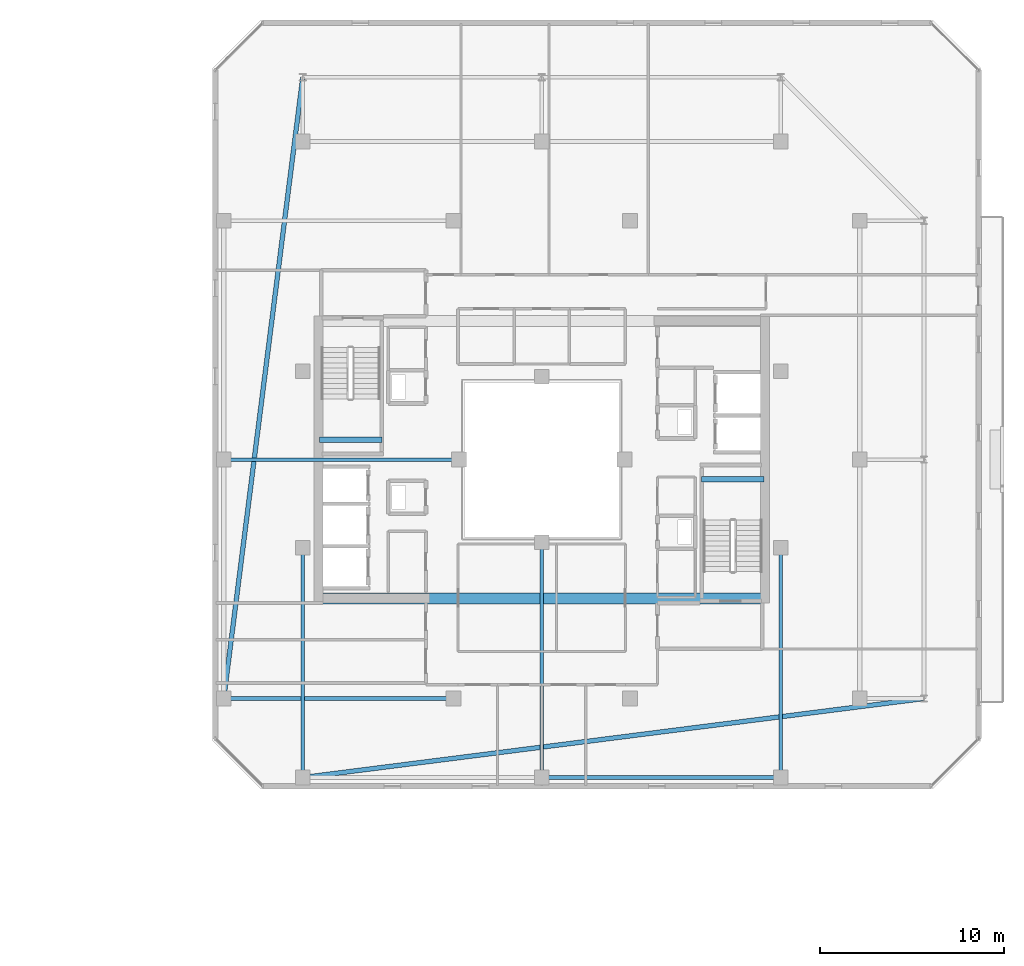
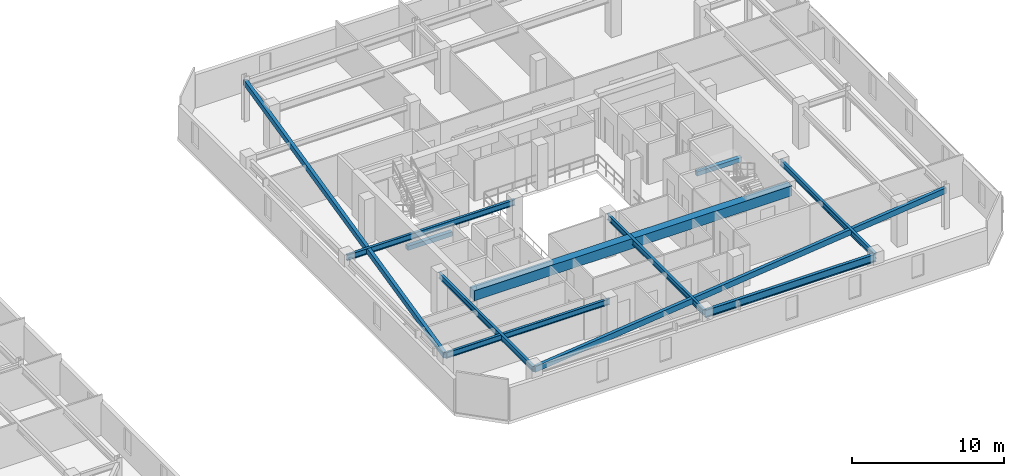
# One storey, part 15 of 35: 11 beams.
"""IFC4 building model written with IfcOpenShell, lengths in metres."""

from ifc_helpers import new_model, si_unit, direction, frame, origin, origin_2d, place, context, subcontext, project, spatial, rectangle, hollow_rectangle, i_section, extrude, material, material_profile, profile_set, type_object, element, save


model = new_model("IFC4")

# Units and contexts
model_context = context("Model", 3, precision=1e-05, world=origin(), true_north=direction((0.0, 1.0)))
body_context = subcontext(model_context, "Body", "Model", "MODEL_VIEW")
ifc_project = project(units=[si_unit("LENGTHUNIT", "METRE"), si_unit("AREAUNIT", "SQUARE_METRE"), si_unit("VOLUMEUNIT", "CUBIC_METRE"), si_unit("PLANEANGLEUNIT", "RADIAN"), si_unit("MASSUNIT", "GRAM", prefix="KILO")], contexts=[model_context])

# Site, building, storey
site_placement = place(None, origin())
site = spatial("IfcSite", under=ifc_project, at=site_placement, CompositionType="ELEMENT")
building_placement = place(site_placement, origin())
building = spatial("IfcBuilding", under=site, at=building_placement, Name="Thornwick Lancets Civic Towers", CompositionType="ELEMENT")
storey_placement = place(building_placement, frame((0.0, 0.0, 276.300048828125)))
storey = spatial("IfcBuildingStorey", under=building, at=storey_placement, Name="L74", CompositionType="ELEMENT", Elevation=276.300048828125)

# Beams
ifc_material_1 = material(Name="Concrete C60/75", Category="concrete")
ifc_material_profile_1 = material_profile(ifc_material_1, rectangle(XDim=0.60009765625, YDim=0.800048828125, at=origin_2d()), Name="RC 600x800")
ifc_profile_set_1 = profile_set([ifc_material_profile_1], Name="Concrete C60/75")
beam_type_1 = type_object("IfcBeamType", Name="BM_COUP_RC800", PredefinedType="BEAM", material=ifc_profile_set_1)
beam_1_placement = place(storey_placement, frame((76.39990234375, 19.449951171875, 2.8798828125), z_axis=(1.0, 0.0, 0.0), x_axis=(0.0, 1.0, 0.0)))
element("IfcBeam", 1, at=beam_1_placement, inside=storey, type_object=beam_type_1, Name="CB-L74-B2", PredefinedType="BEAM", context=body_context, shape_type="SweptSolid", body=[
    extrude(rectangle(XDim=0.60009765625, YDim=0.800048828125, at=origin_2d()), origin(), (0.0, 0.0, 1.0), 24.2001953125),
])
ifc_material_2 = material(Name="Steel S355JR", Category="steel")
ifc_material_profile_2 = material_profile(ifc_material_2, i_section(OverallWidth=0.230224609375, OverallDepth=0.6171875, WebThickness=0.01318359375, FlangeThickness=0.022216796875, FilletRadius=0.0126953125, at=origin_2d()), Name="UKB 610x229x140")
ifc_profile_set_2 = profile_set([ifc_material_profile_2], Name="Steel S355JR")
beam_type_2 = type_object("IfcBeamType", Name="BM_GIRD_610_140", PredefinedType="BEAM", material=ifc_profile_set_2)
beam_2_placement = place(storey_placement, frame((101.5, 9.699951171875, 2.971435546875), z_axis=(-1.0, 0.0, 0.0), x_axis=(0.0, -1.0, 0.0)))
element("IfcBeam", 2, at=beam_2_placement, inside=storey, type_object=beam_type_2, Name="BM-SPINE-L74-B-9-10", PredefinedType="BEAM", context=body_context, shape_type="SweptSolid", body=[
    extrude(i_section(OverallWidth=0.230224609375, OverallDepth=0.6171875, WebThickness=0.01318359375, FlangeThickness=0.022216796875, FilletRadius=0.0126953125, at=origin_2d()), origin(), (0.0, 0.0, 1.0), 13.0),
])
ifc_material_profile_3 = material_profile(ifc_material_2, i_section(OverallWidth=0.19189453125, OverallDepth=0.46337890625, WebThickness=0.010498046875, FlangeThickness=0.017578125, FilletRadius=0.01025390625, at=origin_2d()), Name="UKB 457x191x89")
ifc_profile_set_3 = profile_set([ifc_material_profile_3], Name="Steel S355JR")
beam_type_3 = type_object("IfcBeamType", Name="BM_JOIST_457_89", PredefinedType="JOIST", material=ifc_profile_set_3)
beam_3_placement = place(storey_placement, frame((83.699951171875, 14.0, 3.04833984375), z_axis=(-1.0, 0.0, 0.0), x_axis=(0.0, -1.0, 0.0)))
element("IfcBeam", 3, at=beam_3_placement, inside=storey, type_object=beam_type_3, Name="BM-RADIN-L74-B07", PredefinedType="JOIST", context=body_context, shape_type="SweptSolid", body=[
    extrude(i_section(OverallWidth=0.19189453125, OverallDepth=0.46337890625, WebThickness=0.010498046875, FlangeThickness=0.017578125, FilletRadius=0.01025390625, at=origin_2d()), origin(), (0.0, 0.0, 1.0), 12.5),
])
beam_4_placement = place(storey_placement, frame((84.0, 27.0, 3.04833984375), z_axis=(-1.0, 0.0, 0.0), x_axis=(0.0, -1.0, 0.0)))
element("IfcBeam", 4, at=beam_4_placement, inside=storey, type_object=beam_type_3, Name="BM-RADIN-L74-B08", PredefinedType="JOIST", context=body_context, shape_type="SweptSolid", body=[
    extrude(i_section(OverallWidth=0.19189453125, OverallDepth=0.46337890625, WebThickness=0.010498046875, FlangeThickness=0.017578125, FilletRadius=0.01025390625, at=origin_2d()), origin(), (0.0, 0.0, 1.0), 12.800048828125),
])
beam_5_placement = place(storey_placement, frame((101.5, 22.199951171875, 3.04833984375), z_axis=(0.0, -1.0, 0.0), x_axis=(1.0, 0.0, 0.0)))
element("IfcBeam", 5, at=beam_5_placement, inside=storey, type_object=beam_type_3, Name="BM-RADIN-L74-B10", PredefinedType="JOIST", context=body_context, shape_type="SweptSolid", body=[
    extrude(i_section(OverallWidth=0.19189453125, OverallDepth=0.46337890625, WebThickness=0.010498046875, FlangeThickness=0.017578125, FilletRadius=0.01025390625, at=origin_2d()), origin(), (0.0, 0.0, 1.0), 12.5),
])
beam_6_placement = place(storey_placement, frame((88.5, 22.5, 3.04833984375), z_axis=(0.0, -1.0, 0.0), x_axis=(1.0, 0.0, 0.0)))
element("IfcBeam", 6, at=beam_6_placement, inside=storey, type_object=beam_type_3, Name="BM-RADIN-L74-B11", PredefinedType="JOIST", context=body_context, shape_type="SweptSolid", body=[
    extrude(i_section(OverallWidth=0.19189453125, OverallDepth=0.46337890625, WebThickness=0.010498046875, FlangeThickness=0.017578125, FilletRadius=0.01025390625, at=origin_2d()), origin(), (0.0, 0.0, 1.0), 12.800048828125),
])
beam_7_placement = place(storey_placement, frame((75.5, 22.199951171875, 3.04833984375), z_axis=(0.0, -1.0, 0.0), x_axis=(1.0, 0.0, 0.0)))
element("IfcBeam", 7, at=beam_7_placement, inside=storey, type_object=beam_type_3, Name="BM-RADIN-L74-B12", PredefinedType="JOIST", context=body_context, shape_type="SweptSolid", body=[
    extrude(i_section(OverallWidth=0.19189453125, OverallDepth=0.46337890625, WebThickness=0.010498046875, FlangeThickness=0.017578125, FilletRadius=0.01025390625, at=origin_2d()), origin(), (0.0, 0.0, 1.0), 12.5),
])
ifc_material_profile_4 = material_profile(ifc_material_2, hollow_rectangle(XDim=0.25, YDim=0.449951171875, WallThickness=0.01611328125, at=origin_2d()), Name="RHS 450x250x16")
ifc_profile_set_4 = profile_set([ifc_material_profile_4], Name="Steel S355JR")
beam_type_4 = type_object("IfcBeamType", Name="BM_RING_RHS450", PredefinedType="BEAM", material=ifc_profile_set_4)
for number, where, z_axis, x_axis, name in (
    (8, (75.5, 47.800048828125, 3.054931640625), (-0.126202998662, -0.992004437051, 0.0), (0.992004437051, -0.126202998662, 0.0), "BM-CHAMF-L74-B-C1"),
    (9, (75.5, 9.699951171875, 3.054931640625), (0.992004437051, 0.126202998662, 0.0), (-0.126202998662, 0.992004437051, 0.0), "BM-CHAMF-L74-B-C3"),
):
    element("IfcBeam", number, at=place(storey_placement, frame(where, z_axis=z_axis, x_axis=x_axis)), inside=storey, type_object=beam_type_4, Name=name, PredefinedType="BEAM", context=body_context, shape_type="SweptSolid", body=[
        extrude(hollow_rectangle(XDim=0.25, YDim=0.449951171875, WallThickness=0.01611328125, at=origin_2d()), origin(), (0.0, 0.0, 1.0), 34.072509765625),
    ])
ifc_material_3 = material(Name="Concrete C40/50", Category="concrete")
ifc_material_profile_5 = material_profile(ifc_material_3, rectangle(XDim=0.300048828125, YDim=0.35009765625, at=origin_2d()), Name="RC 300x350")
ifc_profile_set_5 = profile_set([ifc_material_profile_5], Name="Concrete C40/50")
beam_type_5 = type_object("IfcBeamType", Name="BM_STAIR_LDG", PredefinedType="BEAM", material=ifc_profile_set_5)
for number, where, z_axis, x_axis, name in (
    (10, (100.60009765625, 25.93505859375, 1.3779296875), (-1.0, 0.0, 0.0), (0.0, -1.0, 0.0), "L74 ST-B1 Landing Support Beam 1"),
    (11, (76.39990234375, 28.06494140625, 1.3779296875), (1.0, 0.0, 0.0), (0.0, 1.0, 0.0), "L74 ST-B2 Landing Support Beam 1"),
):
    element("IfcBeam", number, at=place(storey_placement, frame(where, z_axis=z_axis, x_axis=x_axis)), inside=storey, type_object=beam_type_5, Name=name, PredefinedType="BEAM", context=body_context, shape_type="SweptSolid", body=[
        extrude(rectangle(XDim=0.300048828125, YDim=0.35009765625, at=origin_2d()), origin(), (0.0, 0.0, 1.0), 3.400146484375),
    ])

save(model, "model.ifc")
